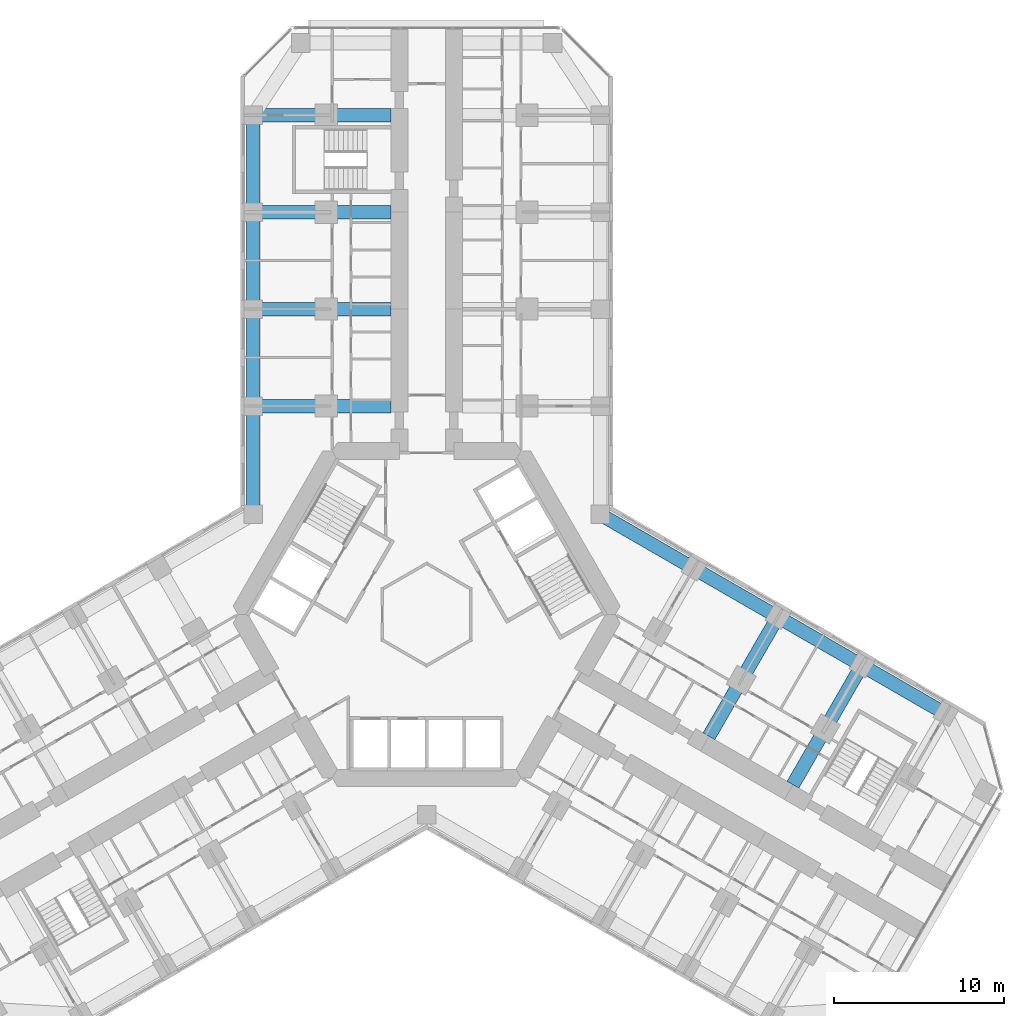
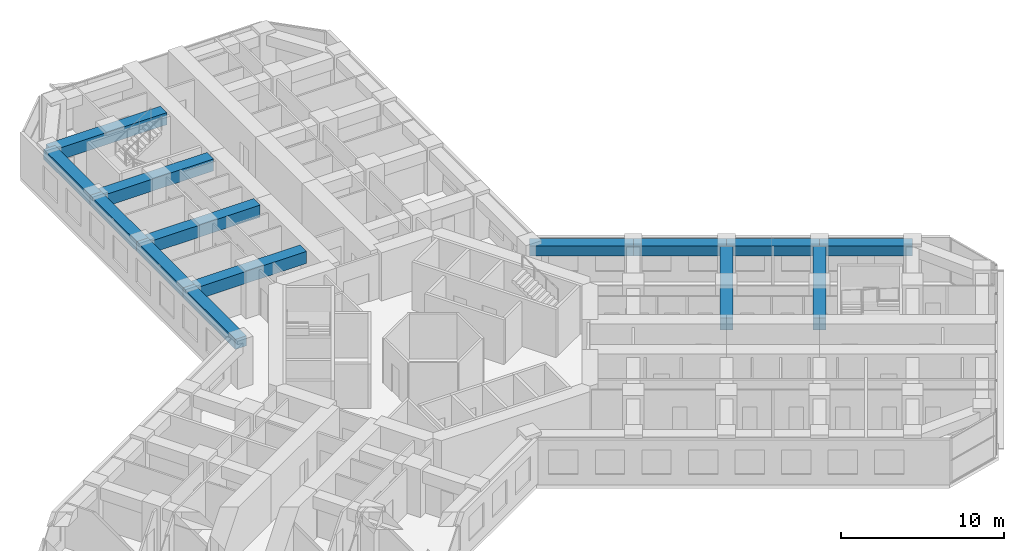
# One storey, part 6 of 21: 14 beams.
"""IFC4 building model written with IfcOpenShell, lengths in metres."""

from ifc_helpers import new_model, si_unit, direction, frame, origin, origin_2d, place, context, subcontext, project, spatial, rectangle, extrude, material, material_profile, profile_set, type_object, element, save


model = new_model("IFC4")

# Units and contexts
model_context = context("Model", 3, precision=1e-05, world=origin(), true_north=direction((0.0, 1.0)))
body_context = subcontext(model_context, "Body", "Model", "MODEL_VIEW")
ifc_project = project(units=[si_unit("LENGTHUNIT", "METRE"), si_unit("AREAUNIT", "SQUARE_METRE"), si_unit("VOLUMEUNIT", "CUBIC_METRE"), si_unit("PLANEANGLEUNIT", "RADIAN"), si_unit("MASSUNIT", "GRAM", prefix="KILO")], contexts=[model_context])

# Site, building, storey
site_placement = place(None, origin())
site = spatial("IfcSite", under=ifc_project, at=site_placement, CompositionType="ELEMENT")
building_placement = place(site_placement, origin())
building = spatial("IfcBuilding", under=site, at=building_placement, Name="Kosmar Iwan School Tower", CompositionType="ELEMENT")
storey_placement = place(building_placement, frame((0.0, 0.0, 39.39990234375)))
storey = spatial("IfcBuildingStorey", under=building, at=storey_placement, Name="L08", CompositionType="ELEMENT", Elevation=39.39990234375)

# Beams
ifc_material_1 = material(Name="Concrete C50/60", Category="concrete")
ifc_material_profile_1 = material_profile(ifc_material_1, rectangle(XDim=0.800048828125, YDim=0.75, at=origin_2d()), Name="RC 800x750")
ifc_profile_set_1 = profile_set([ifc_material_profile_1], Name="Concrete C50/60")
beam_type_1 = type_object("IfcBeamType", Name="RC edge beam 800x750", PredefinedType="BEAM", material=ifc_profile_set_1)
beam_1_placement = place(storey_placement, frame((-10.199951171875, 5.888916015625, 2.97509765625), z_axis=(0.0, 1.0, 0.0), x_axis=(-1.0, 0.0, 0.0)))
element("IfcBeam", 1, at=beam_1_placement, inside=storey, type_object=beam_type_1, Name="Edge beam AL1", PredefinedType="BEAM", context=body_context, shape_type="SweptSolid", body=[
    extrude(rectangle(XDim=0.800048828125, YDim=0.75, at=origin_2d()), origin(), (0.0, 0.0, 1.0), 6.361083984375),
])
for number, where, z_axis, x_axis, name in (
    (2, (-10.199951171875, 12.25, 2.97509765625), (0.0, 1.0, 0.0), (-1.0, 0.0, 0.0), "Edge beam AL2"),
    (3, (-10.199951171875, 17.949951171875, 2.97509765625), (0.0, 1.0, 0.0), (-1.0, 0.0, 0.0), "Edge beam AL3"),
):
    element("IfcBeam", number, at=place(storey_placement, frame(where, z_axis=z_axis, x_axis=x_axis)), inside=storey, type_object=beam_type_1, Name=name, PredefinedType="BEAM", context=body_context, shape_type="SweptSolid", body=[
        extrude(rectangle(XDim=0.800048828125, YDim=0.75, at=origin_2d()), origin(), (0.0, 0.0, 1.0), 5.699951171875),
    ])
beam_2_placement = place(storey_placement, frame((-10.199951171875, 23.64990234375, 2.97509765625), z_axis=(0.0, 1.0, 0.0), x_axis=(-1.0, 0.0, 0.0)))
element("IfcBeam", 4, at=beam_2_placement, inside=storey, type_object=beam_type_1, Name="Edge beam AL4", PredefinedType="BEAM", context=body_context, shape_type="SweptSolid", body=[
    extrude(rectangle(XDim=0.800048828125, YDim=0.75, at=origin_2d()), origin(), (0.0, 0.0, 1.0), 5.7001953125),
])
beam_3_placement = place(storey_placement, frame((10.199951171875, 5.888916015625, 2.97509765625), z_axis=(0.866030912664, -0.49999045822, 0.0), x_axis=(0.49999045822, 0.866030912664, 0.0)))
element("IfcBeam", 5, at=beam_3_placement, inside=storey, type_object=beam_type_1, Name="Edge beam CL1", PredefinedType="BEAM", context=body_context, shape_type="SweptSolid", body=[
    extrude(rectangle(XDim=0.800048828125, YDim=0.75, at=origin_2d()), origin(), (0.0, 0.0, 1.0), 6.36083984375),
])
beam_4_placement = place(storey_placement, frame((15.708740234375, 2.70849609375, 2.97509765625), z_axis=(0.866025820012, -0.499999279071, 0.0), x_axis=(0.499999279071, 0.866025820012, 0.0)))
element("IfcBeam", 6, at=beam_4_placement, inside=storey, type_object=beam_type_1, Name="Edge beam CL2", PredefinedType="BEAM", context=body_context, shape_type="SweptSolid", body=[
    extrude(rectangle(XDim=0.800048828125, YDim=0.75, at=origin_2d()), origin(), (0.0, 0.0, 1.0), 5.7001953125),
])
for number, where, z_axis, x_axis, name in (
    (7, (20.645263671875, -0.1416015625, 2.97509765625), (0.866033658841, -0.49998570155, 0.0), (0.49998570155, 0.866033658841, 0.0), "Edge beam CL3"),
    (8, (25.58154296875, -2.991455078125, 2.97509765625), (0.866015111908, -0.50001782563, 0.0), (0.50001782563, 0.866015111908, 0.0), "Edge beam CL4"),
):
    element("IfcBeam", number, at=place(storey_placement, frame(where, z_axis=z_axis, x_axis=x_axis)), inside=storey, type_object=beam_type_1, Name=name, PredefinedType="BEAM", context=body_context, shape_type="SweptSolid", body=[
        extrude(rectangle(XDim=0.800048828125, YDim=0.75, at=origin_2d()), origin(), (0.0, 0.0, 1.0), 5.699951171875),
    ])
ifc_material_2 = material(Name="Concrete C50/60", Category="concrete")
ifc_material_profile_2 = material_profile(ifc_material_2, rectangle(XDim=0.800048828125, YDim=0.89990234375, at=origin_2d()), Name="RC 800x900")
ifc_profile_set_2 = profile_set([ifc_material_profile_2], Name="Concrete C50/60")
beam_type_2 = type_object("IfcBeamType", Name="RC transverse beam 800x900", PredefinedType="BEAM", material=ifc_profile_set_2)
for number, where, z_axis, x_axis, name in (
    (9, (-10.199951171875, 12.25, 2.900146484375), (1.0, 0.0, 0.0), (0.0, 1.0, 0.0), "Transverse beam AL1"),
    (10, (-10.199951171875, 17.949951171875, 2.900146484375), (1.0, 0.0, 0.0), (0.0, 1.0, 0.0), "Transverse beam AL2"),
    (11, (-10.199951171875, 23.64990234375, 2.900146484375), (1.0, 0.0, 0.0), (0.0, 1.0, 0.0), "Transverse beam AL3"),
    (12, (-10.199951171875, 29.35009765625, 2.900146484375), (1.0, 0.0, 0.0), (0.0, 1.0, 0.0), "Transverse beam AL4"),
    (13, (20.645263671875, -0.1416015625, 2.900146484375), (-0.500012932018, -0.866017937352, 0.0), (0.866017937352, -0.500012932018, 0.0), "Transverse beam CL2"),
):
    element("IfcBeam", number, at=place(storey_placement, frame(where, z_axis=z_axis, x_axis=x_axis)), inside=storey, type_object=beam_type_2, Name=name, PredefinedType="BEAM", context=body_context, shape_type="SweptSolid", body=[
        extrude(rectangle(XDim=0.800048828125, YDim=0.89990234375, at=origin_2d()), origin(), (0.0, 0.0, 1.0), 8.099853515625),
    ])
beam_5_placement = place(storey_placement, frame((25.58154296875, -2.991455078125, 2.900146484375), z_axis=(-0.499999880539, -0.866025472755, 0.0), x_axis=(0.866025472755, -0.499999880539, 0.0)))
element("IfcBeam", 14, at=beam_5_placement, inside=storey, type_object=beam_type_2, Name="Transverse beam CL3", PredefinedType="BEAM", context=body_context, shape_type="SweptSolid", body=[
    extrude(rectangle(XDim=0.800048828125, YDim=0.89990234375, at=origin_2d()), origin(), (0.0, 0.0, 1.0), 8.10009765625),
])

save(model, "model.ifc")
